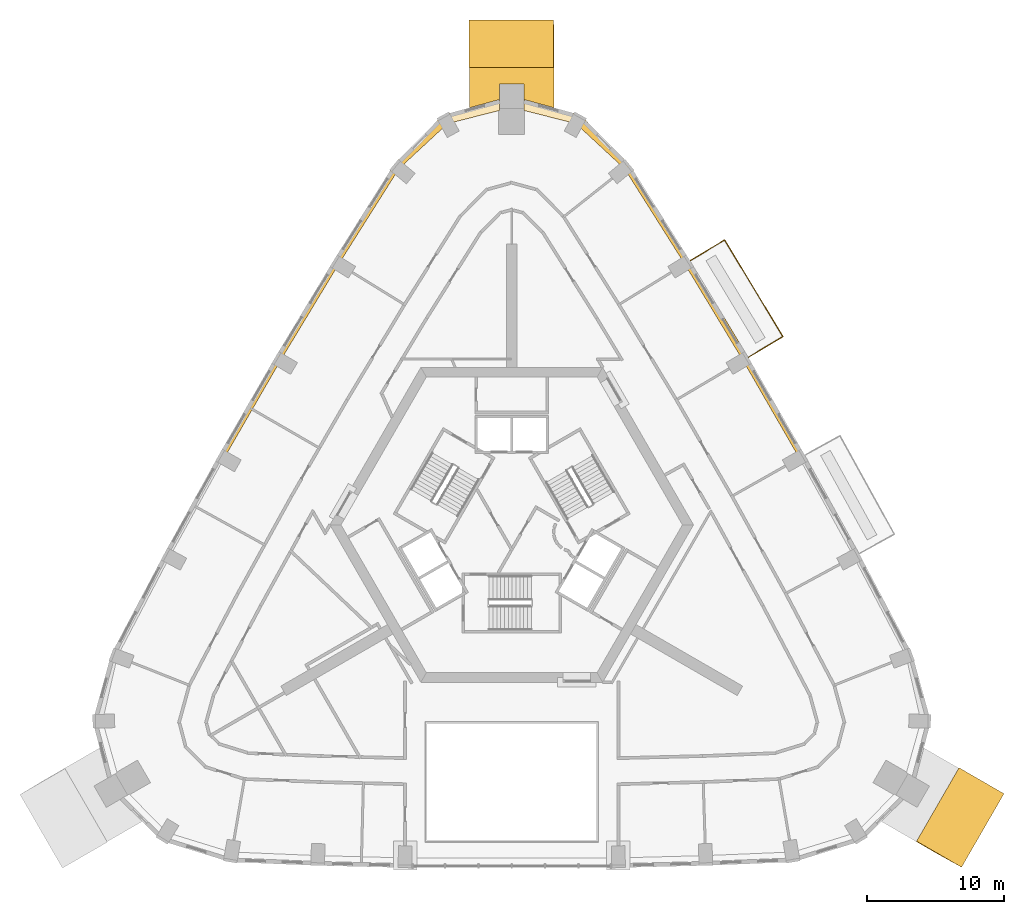
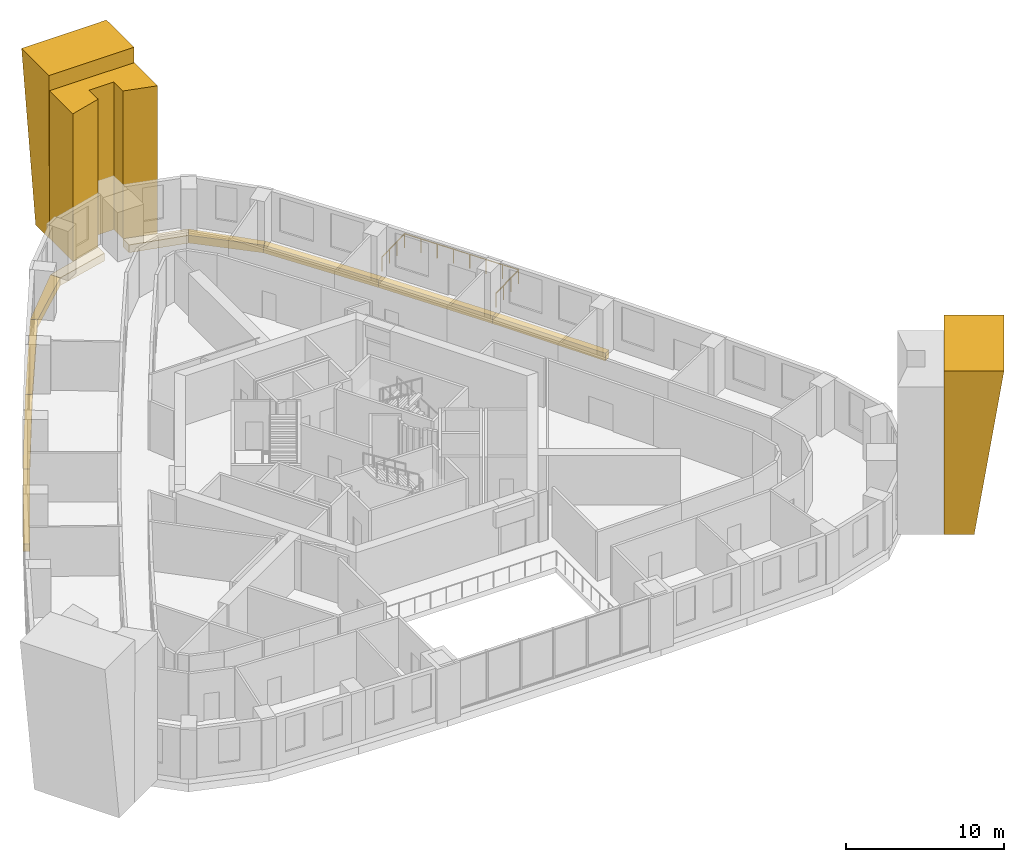
# One storey, part 13 of 13: 13 coverings, 1 railing.
"""IFC4 building model written with IfcOpenShell, lengths in metres."""

from ifc_helpers import new_model, si_unit, direction, frame, origin, origin_2d, place, context, subcontext, project, spatial, polyline, circle, outline, extrude, material, type_object, element, save


model = new_model("IFC4")

# Units and contexts
model_context = context("Model", 3, precision=1e-05, world=origin(), true_north=direction((0.0, 1.0)))
body_context = subcontext(model_context, "Body", "Model", "MODEL_VIEW")
ifc_project = project(units=[si_unit("LENGTHUNIT", "METRE"), si_unit("AREAUNIT", "SQUARE_METRE"), si_unit("VOLUMEUNIT", "CUBIC_METRE"), si_unit("PLANEANGLEUNIT", "RADIAN"), si_unit("MASSUNIT", "GRAM", prefix="KILO")], contexts=[model_context])

# Site, building, storey
site_placement = place(None, origin())
site = spatial("IfcSite", under=ifc_project, at=site_placement, CompositionType="ELEMENT")
building_placement = place(site_placement, origin())
building = spatial("IfcBuilding", under=site, at=building_placement, Name="Entoto Arch Interchange Tower", CompositionType="ELEMENT")
storey_placement = place(building_placement, frame((0.0, 0.0, 202.39990234375)))
storey = spatial("IfcBuildingStorey", under=building, at=storey_placement, Name="L45", CompositionType="ELEMENT", Elevation=202.39990234375)

# Railing
ifc_material_1 = material(Name="Stainless steel 1.4301", Category="steel")
railing_type = type_object("IfcRailingType", Name="GUARD 1100 STEEL AND GLASS", PredefinedType="GUARDRAIL", material=ifc_material_1)
railing_placement = place(storey_placement, frame((17.279052734375, 14.73291015625, 0.0)))
element("IfcRailing", 1, at=railing_placement, inside=storey, type_object=railing_type, Name="Balcony guard NE-04 L45", PredefinedType="GUARDRAIL", context=body_context, shape_type="SweptSolid", body=[
    extrude(circle(Radius=0.02392578125, at=origin_2d()), frame((0.0, 0.0, 1.076171875), z_axis=(0.85634418058, 0.516405503831, 0.0), x_axis=(-0.516405503831, 0.85634418058, 0.0)), (0.0, 0.0, 1.0), 2.94970703125),
    extrude(circle(Radius=0.02392578125, at=origin_2d()), frame((2.52587890625, 1.523193359375, 1.076171875), z_axis=(-0.516259346798, 0.856432301378, 0.0), x_axis=(-0.856432301378, -0.516259346798, 0.0)), (0.0, 0.0, 1.0), 8.23974609375),
    extrude(circle(Radius=0.02392578125, at=origin_2d()), frame((-1.72802734375, 8.580078125, 1.076171875), z_axis=(-0.856402849076, -0.516308202622, 0.0), x_axis=(0.516308202622, -0.856402849076, 0.0)), (0.0, 0.0, 1.0), 2.94970703125),
    extrude(circle(Radius=0.02099609375, at=origin_2d()), origin(), (0.0, 0.0, 1.0), 1.052001953125),
    extrude(circle(Radius=0.02099609375, at=origin_2d()), frame((0.842041015625, 0.5078125, 0.0)), (0.0, 0.0, 1.0), 1.052001953125),
    extrude(circle(Radius=0.02099609375, at=origin_2d()), frame((1.683837890625, 1.015380859375, 0.0)), (0.0, 0.0, 1.0), 1.052001953125),
    extrude(circle(Radius=0.02099609375, at=origin_2d()), frame((2.52587890625, 1.523193359375, 0.0)), (0.0, 0.0, 1.0), 1.052001953125),
    extrude(circle(Radius=0.02099609375, at=origin_2d()), frame((1.918212890625, 2.53125, 0.0)), (0.0, 0.0, 1.0), 1.052001953125),
    extrude(circle(Radius=0.02099609375, at=origin_2d()), frame((1.310546875, 3.53955078125, 0.0)), (0.0, 0.0, 1.0), 1.052001953125),
    extrude(circle(Radius=0.02099609375, at=origin_2d()), frame((0.702880859375, 4.547607421875, 0.0)), (0.0, 0.0, 1.0), 1.052001953125),
    extrude(circle(Radius=0.02099609375, at=origin_2d()), frame((0.094970703125, 5.5556640625, 0.0)), (0.0, 0.0, 1.0), 1.052001953125),
    extrude(circle(Radius=0.02099609375, at=origin_2d()), frame((-0.5126953125, 6.563720703125, 0.0)), (0.0, 0.0, 1.0), 1.052001953125),
    extrude(circle(Radius=0.02099609375, at=origin_2d()), frame((-1.120361328125, 7.572021484375, 0.0)), (0.0, 0.0, 1.0), 1.052001953125),
    extrude(circle(Radius=0.02099609375, at=origin_2d()), frame((-1.72802734375, 8.580078125, 0.0)), (0.0, 0.0, 1.0), 1.052001953125),
    extrude(circle(Radius=0.02099609375, at=origin_2d()), frame((-2.570068359375, 8.072509765625, 0.0)), (0.0, 0.0, 1.0), 1.052001953125),
    extrude(circle(Radius=0.02099609375, at=origin_2d()), frame((-3.412109375, 7.564697265625, 0.0)), (0.0, 0.0, 1.0), 1.052001953125),
    extrude(circle(Radius=0.02099609375, at=origin_2d()), frame((-4.254150390625, 7.05712890625, 0.0)), (0.0, 0.0, 1.0), 1.052001953125),
])

# Coverings
ifc_material_2 = material(Name="Board-marked precast concrete C50/60", Category="concrete")
covering_type_1 = type_object("IfcCoveringType", Name="PRECAST FRAME COURSE", PredefinedType="CLADDING", material=ifc_material_2)
covering_1_placement = place(storey_placement, frame((0.0, 0.0, -0.39990234375)))
element("IfcCovering", 2, at=covering_1_placement, inside=storey, type_object=covering_type_1, Name="Corner pilaster N L45-L47", PredefinedType="CLADDING", context=body_context, shape_type="SweptSolid", body=[
    extrude(outline(polyline([(-3.10009765625, 35.9150390625), (3.10009765625, 35.9150390625), (3.10009765625, 32.965087890625), (0.89990234375, 33.568115234375), (0.89990234375, 34.715087890625), (-0.89990234375, 34.715087890625), (-0.89990234375, 33.568115234375), (-3.10009765625, 32.965087890625), (-3.10009765625, 35.9150390625)])), origin(), (0.0, 0.0, 1.0), 11.39990234375),
])
covering_2_placement = place(storey_placement, frame((29.553955078125, -20.64306640625, -0.39990234375), z_axis=(-0.500122700772, -0.865949232195, 0.003035034329), x_axis=(0.865953220112, -0.500125004951, -2.81222e-07)))
element("IfcCovering", 3, at=covering_2_placement, inside=storey, type_object=covering_type_1, Name="Corner rib SE L45-L47", PredefinedType="CLADDING", context=body_context, shape_type="SweptSolid", body=[
    extrude(outline(polyline([(0.0, 0.0), (1.9113248043282958, 0.0), (3.7933068424568295, 12.60015675589839), (3.1644590558098115e-06, 12.60015515162301), (0.0, 0.0)])), origin(), (0.0, 0.0, -1.0), 6.199951171875),
])
covering_3_placement = place(storey_placement, frame((3.10009765625, 35.9150390625, -0.39990234375), z_axis=(0.999995431764, 0.0, 0.003022656217), x_axis=(0.0, 1.0, 0.0)))
element("IfcCovering", 4, at=covering_3_placement, inside=storey, type_object=covering_type_1, Name="Corner rib N L45-L47", PredefinedType="CLADDING", context=body_context, shape_type="SweptSolid", body=[
    extrude(outline(polyline([(0.0, 0.0), (1.744873046875, 0.0), (3.4638671875, 12.600155216729355), (0.0, 12.600155216729355), (0.0, 0.0)])), origin(), (0.0, 0.0, -1.0), 6.199951171875),
])
covering_type_2 = type_object("IfcCoveringType", Name="PRECAST LEDGE COURSE", PredefinedType="CLADDING", material=ifc_material_2)
covering_4_placement = place(storey_placement, frame((0.0, 0.0, -1.0)))
element("IfcCovering", 5, at=covering_4_placement, inside=storey, type_object=covering_type_2, Name="Precast course NE-03 L45", PredefinedType="CLADDING", context=body_context, shape_type="SweptSolid", body=[
    extrude(outline(polyline([(16.89111328125, 14.50390625), (17.279052734375, 14.73291015625), (21.39892578125, 7.596923828125), (21.006103515625, 7.3759765625), (16.89111328125, 14.50390625)])), origin(), (0.0, 0.0, 1.0), 0.60009765625),
])
covering_5_placement = place(storey_placement, frame((0.0, 0.0, -1.0)))
element("IfcCovering", 6, at=covering_5_placement, inside=storey, type_object=covering_type_2, Name="Precast course NE-04 L45", PredefinedType="CLADDING", context=body_context, shape_type="SweptSolid", body=[
    extrude(outline(polyline([(12.635009765625, 21.549072265625), (13.02490234375, 21.7900390625), (17.279052734375, 14.73291015625), (16.89111328125, 14.50390625), (12.635009765625, 21.549072265625)])), origin(), (0.0, 0.0, 1.0), 0.60009765625),
])
covering_6_placement = place(storey_placement, frame((0.0, 0.0, -1.0)))
element("IfcCovering", 7, at=covering_6_placement, inside=storey, type_object=covering_type_2, Name="Precast course NE-05 L45", PredefinedType="CLADDING", context=body_context, shape_type="SweptSolid", body=[
    extrude(outline(polyline([(8.241943359375, 28.510009765625), (8.60693359375, 28.81298828125), (13.02490234375, 21.7900390625), (12.635009765625, 21.549072265625), (8.241943359375, 28.510009765625)])), origin(), (0.0, 0.0, 1.0), 0.60009765625),
])
covering_7_placement = place(storey_placement, frame((0.0, 0.0, -1.0)))
element("IfcCovering", 8, at=covering_7_placement, inside=storey, type_object=covering_type_2, Name="Precast course N-01 L45", PredefinedType="CLADDING", context=body_context, shape_type="SweptSolid", body=[
    extrude(outline(polyline([(4.693115234375, 31.804931640625), (5.035888671875, 32.43408203125), (8.60693359375, 28.81298828125), (8.241943359375, 28.510009765625), (4.693115234375, 31.804931640625)])), origin(), (0.0, 0.0, 1.0), 0.60009765625),
])
covering_8_placement = place(storey_placement, frame((0.0, 0.0, -1.0)))
element("IfcCovering", 9, at=covering_8_placement, inside=storey, type_object=covering_type_2, Name="Precast course N-02 L45", PredefinedType="CLADDING", context=body_context, shape_type="SweptSolid", body=[
    extrude(outline(polyline([(0.89990234375, 32.77099609375), (0.89990234375, 33.568115234375), (5.035888671875, 32.43408203125), (4.693115234375, 31.804931640625), (0.89990234375, 32.77099609375)])), origin(), (0.0, 0.0, 1.0), 0.60009765625),
])
covering_9_placement = place(storey_placement, frame((0.0, 0.0, -1.0)))
element("IfcCovering", 10, at=covering_9_placement, inside=storey, type_object=covering_type_2, Name="Precast course N-03 L45", PredefinedType="CLADDING", context=body_context, shape_type="SweptSolid", body=[
    extrude(outline(polyline([(-4.693115234375, 31.804931640625), (-5.035888671875, 32.43408203125), (-0.89990234375, 33.568115234375), (-0.89990234375, 32.77099609375), (-4.693115234375, 31.804931640625)])), origin(), (0.0, 0.0, 1.0), 0.60009765625),
])
covering_10_placement = place(storey_placement, frame((0.0, 0.0, -1.0)))
element("IfcCovering", 11, at=covering_10_placement, inside=storey, type_object=covering_type_2, Name="Precast course N-04 L45", PredefinedType="CLADDING", context=body_context, shape_type="SweptSolid", body=[
    extrude(outline(polyline([(-8.241943359375, 28.510009765625), (-8.60693359375, 28.81298828125), (-5.035888671875, 32.43408203125), (-4.693115234375, 31.804931640625), (-8.241943359375, 28.510009765625)])), origin(), (0.0, 0.0, 1.0), 0.60009765625),
])
covering_11_placement = place(storey_placement, frame((0.0, 0.0, -1.0)))
element("IfcCovering", 12, at=covering_11_placement, inside=storey, type_object=covering_type_2, Name="Precast course NW-01 L45", PredefinedType="CLADDING", context=body_context, shape_type="SweptSolid", body=[
    extrude(outline(polyline([(-12.635009765625, 21.549072265625), (-13.02490234375, 21.7900390625), (-8.60693359375, 28.81298828125), (-8.241943359375, 28.510009765625), (-12.635009765625, 21.549072265625)])), origin(), (0.0, 0.0, 1.0), 0.60009765625),
])
covering_12_placement = place(storey_placement, frame((0.0, 0.0, -1.0)))
element("IfcCovering", 13, at=covering_12_placement, inside=storey, type_object=covering_type_2, Name="Precast course NW-02 L45", PredefinedType="CLADDING", context=body_context, shape_type="SweptSolid", body=[
    extrude(outline(polyline([(-16.89111328125, 14.50390625), (-17.279052734375, 14.73291015625), (-13.02490234375, 21.7900390625), (-12.635009765625, 21.549072265625), (-16.89111328125, 14.50390625)])), origin(), (0.0, 0.0, 1.0), 0.60009765625),
])
covering_13_placement = place(storey_placement, frame((0.0, 0.0, -1.0)))
element("IfcCovering", 14, at=covering_13_placement, inside=storey, type_object=covering_type_2, Name="Precast course NW-03 L45", PredefinedType="CLADDING", context=body_context, shape_type="SweptSolid", body=[
    extrude(outline(polyline([(-21.006103515625, 7.3759765625), (-21.39892578125, 7.596923828125), (-17.279052734375, 14.73291015625), (-16.89111328125, 14.50390625), (-21.006103515625, 7.3759765625)])), origin(), (0.0, 0.0, 1.0), 0.60009765625),
])

save(model, "model.ifc")
